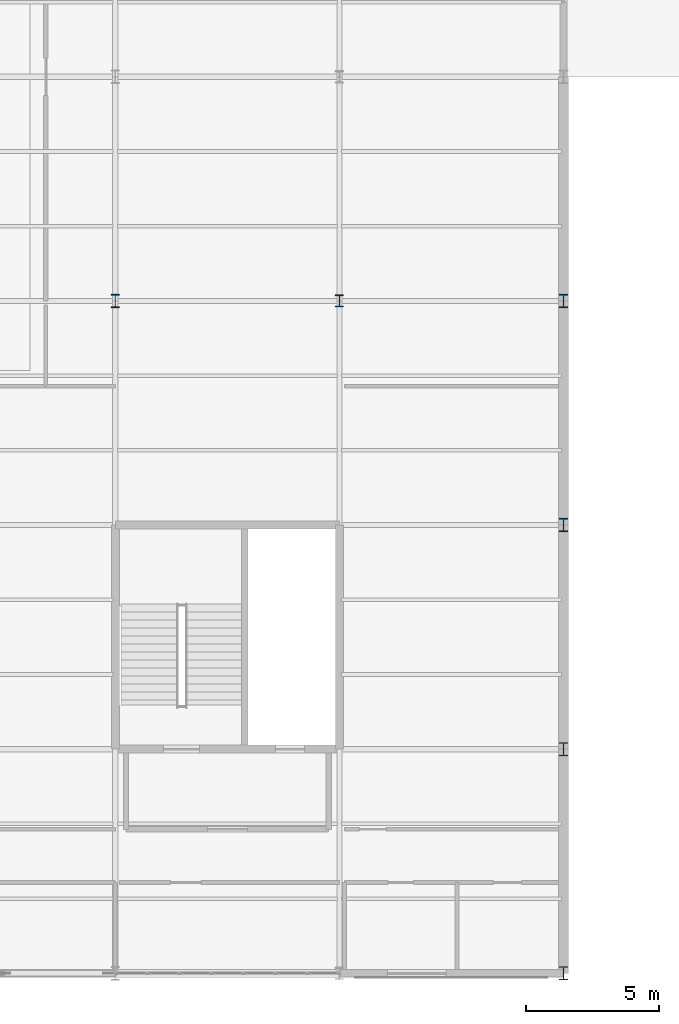
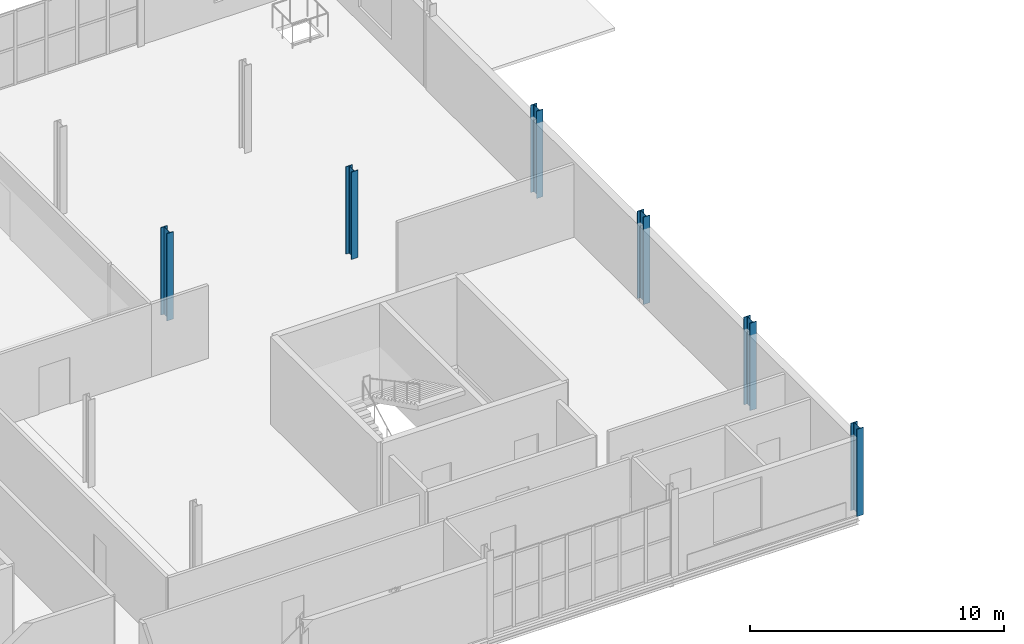
# One storey, part 2 of 69: 6 columns.
"""IFC4 building model written with IfcOpenShell, lengths in metres."""

from ifc_helpers import new_model, si_unit, direction, frame, origin, origin_2d, place, context, subcontext, project, spatial, i_section, extrude, material, material_profile, profile_set, type_object, element, save


model = new_model("IFC4")

# Units and contexts
model_context = context("Model", 3, precision=1e-05, world=origin(), true_north=direction((0.0, 1.0)))
body_context = subcontext(model_context, "Body", "Model", "MODEL_VIEW")
ifc_project = project(units=[si_unit("LENGTHUNIT", "METRE"), si_unit("AREAUNIT", "SQUARE_METRE"), si_unit("VOLUMEUNIT", "CUBIC_METRE"), si_unit("PLANEANGLEUNIT", "RADIAN"), si_unit("MASSUNIT", "GRAM", prefix="KILO")], contexts=[model_context])

# Site, building, storey
site_placement = place(None, origin())
site = spatial("IfcSite", under=ifc_project, at=site_placement, CompositionType="ELEMENT")
building_placement = place(site_placement, origin())
building = spatial("IfcBuilding", under=site, at=building_placement, Name="Qalvenar Corner Mobility Hub", CompositionType="ELEMENT")
storey_placement = place(building_placement, frame((0.0, 0.0, 13.199951171875)))
storey = spatial("IfcBuildingStorey", under=building, at=storey_placement, Name="L03", CompositionType="ELEMENT", Elevation=13.199951171875)

# Columns
ifc_material = material(Name="Steel S355", Category="steel")
ifc_material_profile_1 = material_profile(ifc_material, i_section(OverallWidth=0.300048828125, OverallDepth=0.449951171875, WebThickness=0.013916015625, FlangeThickness=0.02587890625, FilletRadius=0.027099609375, at=origin_2d()), Name="HEB450")
ifc_profile_set_1 = profile_set([ifc_material_profile_1], Name="Steel S355")
column_type_1 = type_object("IfcColumnType", Name="COL-HEB450", PredefinedType="COLUMN", material=ifc_profile_set_1)
column_placement = place(storey_placement, frame((42.0, 25.199951171875, 0.0), z_axis=(0.0, 0.0, 1.0), x_axis=(1.0, 0.0, 0.0)))
element("IfcColumn", 1, at=column_placement, inside=storey, type_object=column_type_1, Name="Steel Column L03-G6-3", PredefinedType="COLUMN", context=body_context, shape_type="SweptSolid", body=[
    extrude(i_section(OverallWidth=0.300048828125, OverallDepth=0.449951171875, WebThickness=0.013916015625, FlangeThickness=0.02587890625, FilletRadius=0.027099609375, at=origin_2d()), origin(), (0.0, 0.0, 1.0), 4.199951171875),
])
ifc_material_profile_2 = material_profile(ifc_material, i_section(OverallWidth=0.300048828125, OverallDepth=0.5, WebThickness=0.014404296875, FlangeThickness=0.028076171875, FilletRadius=0.027099609375, at=origin_2d()), Name="HEB500")
ifc_profile_set_2 = profile_set([ifc_material_profile_2], Name="Steel S355")
column_type_2 = type_object("IfcColumnType", Name="COL-HEB500", PredefinedType="COLUMN", material=ifc_profile_set_2)
for number, where, z_axis, x_axis, name in (
    (2, (33.60009765625, 25.199951171875, 0.0), (0.0, 0.0, 1.0), (1.0, 0.0, 0.0), "Steel Column L03-G5-3"),
    (3, (50.39990234375, 0.0, 0.0), (0.0, 0.0, 1.0), (1.0, 0.0, 0.0), "Steel Column L03-G7-0"),
    (4, (50.39990234375, 8.39990234375, 0.0), (0.0, 0.0, 1.0), (1.0, 0.0, 0.0), "Steel Column L03-G7-1"),
    (5, (50.39990234375, 16.800048828125, 0.0), (0.0, 0.0, 1.0), (1.0, 0.0, 0.0), "Steel Column L03-G7-2"),
    (6, (50.39990234375, 25.199951171875, 0.0), (0.0, 0.0, 1.0), (1.0, 0.0, 0.0), "Steel Column L03-G7-3"),
):
    element("IfcColumn", number, at=place(storey_placement, frame(where, z_axis=z_axis, x_axis=x_axis)), inside=storey, type_object=column_type_2, Name=name, PredefinedType="COLUMN", context=body_context, shape_type="SweptSolid", body=[
        extrude(i_section(OverallWidth=0.300048828125, OverallDepth=0.5, WebThickness=0.014404296875, FlangeThickness=0.028076171875, FilletRadius=0.027099609375, at=origin_2d()), origin(), (0.0, 0.0, 1.0), 4.199951171875),
    ])

save(model, "model.ifc")
